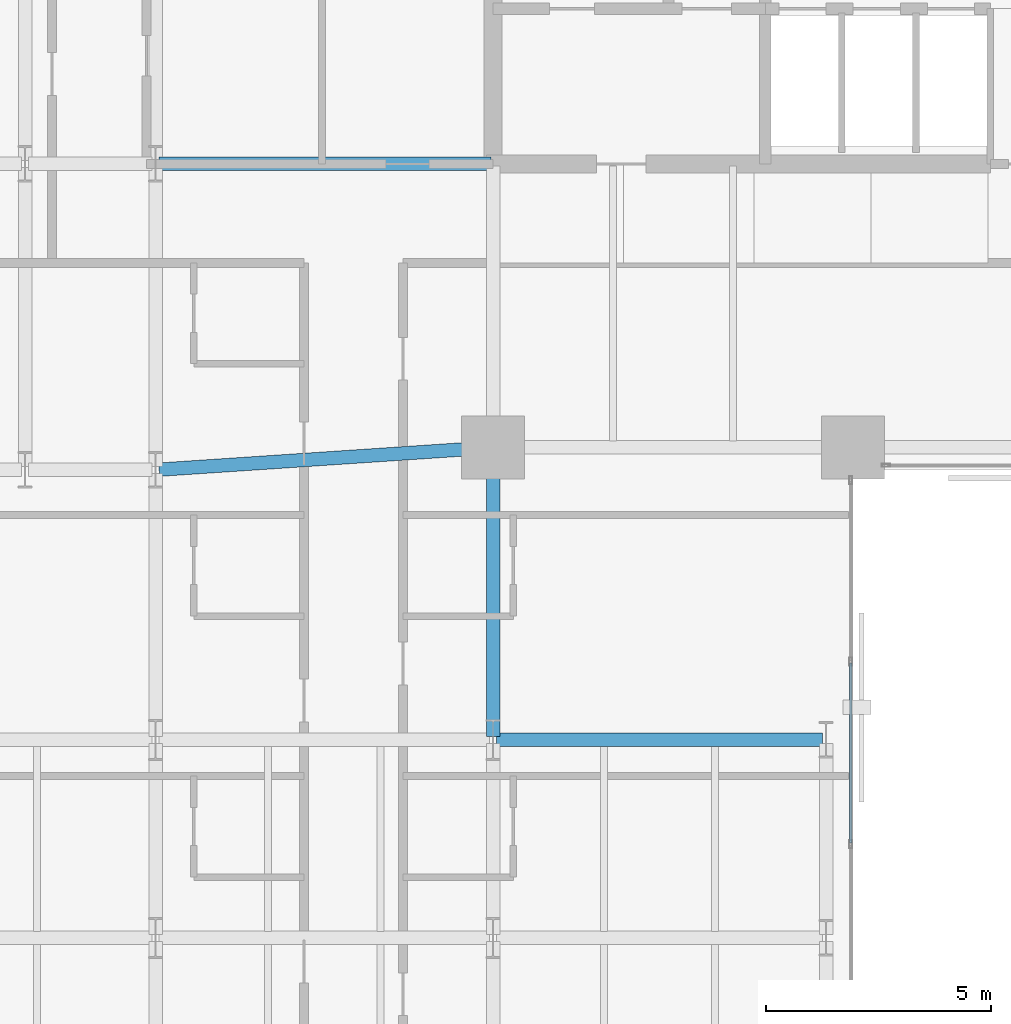
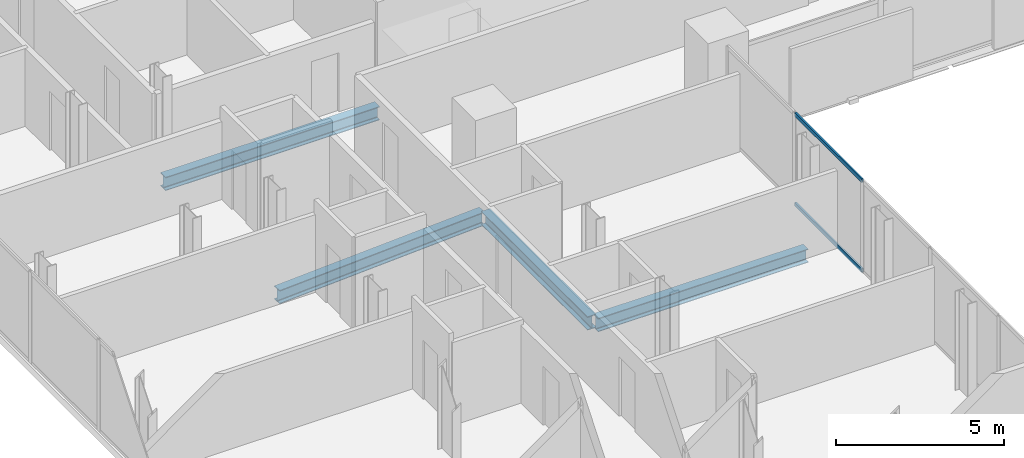
# One storey, part 12 of 33: 4 beams, 2 members, 1 element without a shape of its own.
"""IFC4 building model written with IfcOpenShell, lengths in metres."""

from ifc_helpers import new_model, si_unit, direction, frame, origin, origin_2d, place, context, subcontext, project, spatial, hollow_rectangle, i_section, extrude, material, layer, layer_set, material_profile, profile_set, type_object, element, aggregate, save


model = new_model("IFC4")

# Units and contexts
model_context = context("Model", 3, precision=1e-05, world=origin(), true_north=direction((0.0, 1.0)))
body_context = subcontext(model_context, "Body", "Model", "MODEL_VIEW")
ifc_project = project(units=[si_unit("LENGTHUNIT", "METRE"), si_unit("AREAUNIT", "SQUARE_METRE"), si_unit("VOLUMEUNIT", "CUBIC_METRE"), si_unit("PLANEANGLEUNIT", "RADIAN"), si_unit("MASSUNIT", "GRAM", prefix="KILO")], contexts=[model_context])

# Site, building, storey
site_placement = place(None, origin())
site = spatial("IfcSite", under=ifc_project, at=site_placement, CompositionType="ELEMENT")
building_placement = place(site_placement, origin())
building = spatial("IfcBuilding", under=site, at=building_placement, Name="Catumbela Crestline Tower", CompositionType="ELEMENT")
storey_placement = place(building_placement, frame((0.0, 0.0, 72.6)))
storey = spatial("IfcBuildingStorey", under=building, at=storey_placement, Name="L18", CompositionType="ELEMENT", Elevation=72.6)

# Beams
ifc_material_1 = material(Name="Structural steel S355J2", Category="steel")
ifc_material_profile_1 = material_profile(ifc_material_1, i_section(OverallWidth=0.3, OverallDepth=0.49, WebThickness=0.012, FlangeThickness=0.023, FilletRadius=0.027, at=origin_2d()), Name="HEA 500")
ifc_profile_set_1 = profile_set([ifc_material_profile_1], Name="Structural steel S355J2")
beam_type = type_object("IfcBeamType", Name="BG-HEA500", PredefinedType="BEAM", material=ifc_profile_set_1)
beam_1_placement = place(storey_placement, frame((8.5798, 24.0053, -0.505), z_axis=(0.997784796964, 0.066524423687, 0.0), x_axis=(-0.066524423687, 0.997784796964, 0.0)))
element("IfcBeam", 1, at=beam_1_placement, inside=storey, type_object=beam_type, Name="L18 Beam BM-L18-S03", PredefinedType="BEAM", context=body_context, shape_type="SweptSolid", body=[
    extrude(i_section(OverallWidth=0.3, OverallDepth=0.49, WebThickness=0.012, FlangeThickness=0.023, FilletRadius=0.027, at=origin_2d()), origin(), (0.0, 0.0, 1.0), 7.3567),
])
beam_2_placement = place(storey_placement, frame((8.58, 30.8, -0.505), z_axis=(1.0, 0.0, 0.0), x_axis=(0.0, 1.0, 0.0)))
element("IfcBeam", 2, at=beam_2_placement, inside=storey, type_object=beam_type, Name="L18 Beam BM-L18-M09", PredefinedType="BEAM", context=body_context, shape_type="SweptSolid", body=[
    extrude(i_section(OverallWidth=0.3, OverallDepth=0.49, WebThickness=0.012, FlangeThickness=0.023, FilletRadius=0.027, at=origin_2d()), origin(), (0.0, 0.0, 1.0), 7.37),
])
beam_3_placement = place(storey_placement, frame((16.08, 18.0, -0.505), z_axis=(1.0, 0.0, 0.0), x_axis=(0.0, 1.0, 0.0)))
element("IfcBeam", 3, at=beam_3_placement, inside=storey, type_object=beam_type, Name="L18 Beam BM-L18-WEW56", PredefinedType="BEAM", context=body_context, shape_type="SweptSolid", body=[
    extrude(i_section(OverallWidth=0.3, OverallDepth=0.49, WebThickness=0.012, FlangeThickness=0.023, FilletRadius=0.027, at=origin_2d()), origin(), (0.0, 0.0, 1.0), 7.24),
])
beam_4_placement = place(storey_placement, frame((16.0, 18.08, -0.505), z_axis=(0.0, 1.0, 0.0), x_axis=(-1.0, 0.0, 0.0)))
element("IfcBeam", 4, at=beam_4_placement, inside=storey, type_object=beam_type, Name="L18 Beam BM-L18-WNS67", PredefinedType="BEAM", context=body_context, shape_type="SweptSolid", body=[
    extrude(i_section(OverallWidth=0.3, OverallDepth=0.49, WebThickness=0.012, FlangeThickness=0.023, FilletRadius=0.027, at=origin_2d()), origin(), (0.0, 0.0, 1.0), 6.34),
])

# Curtain wall, members
ifc_material_2 = material(Name="Aluminium alloy AW-6060-T66", Category="aluminium")
ifc_layer = layer(ifc_material_2, 0.18, Name="Aluminium alloy AW-6060-T66")
ifc_layer_set = layer_set([ifc_layer], Name="Aluminium alloy AW-6060-T66")
curtain_wall_type = type_object("IfcCurtainWallType", Name="CWU-Z1", PredefinedType="USERDEFINED", material=ifc_layer_set)
curtain_wall_placement = place(storey_placement, origin())
curtain_wall = element("IfcCurtainWall", 5, at=curtain_wall_placement, inside=storey, type_object=curtain_wall_type, Name="L18 Unitised Curtain Wall CW-L18-E2S1", ObjectType="UNITISED", PredefinedType="USERDEFINED")
ifc_material_profile_2 = material_profile(ifc_material_2, hollow_rectangle(XDim=0.06, YDim=0.14, WallThickness=0.004, at=origin_2d()), Name="ALU 140x60x4")
ifc_profile_set_2 = profile_set([ifc_material_profile_2], Name="Aluminium alloy AW-6060-T66")
member_type = type_object("IfcMemberType", Name="TRN-140X60", PredefinedType="USERDEFINED", material=ifc_profile_set_2)
member_1_placement = place(storey_placement, frame((23.95, 15.7125, 0.03), z_axis=(0.0, 1.0, 0.0), x_axis=(-1.0, 0.0, 0.0)))
member_1 = element("IfcMember", 6, at=member_1_placement, type_object=member_type, Name="CWU-Z1 transom 4.1", ObjectType="TRANSOM", PredefinedType="USERDEFINED", context=body_context, shape_type="SweptSolid", body=[
    extrude(hollow_rectangle(XDim=0.06, YDim=0.14, WallThickness=0.004, at=origin_2d()), origin(), (0.0, 0.0, 1.0), 3.995),
])
member_2_placement = place(storey_placement, frame((23.95, 15.7125, 3.3), z_axis=(0.0, 1.0, 0.0), x_axis=(-1.0, 0.0, 0.0)))
member_2 = element("IfcMember", 7, at=member_2_placement, type_object=member_type, Name="CWU-Z1 transom 4.2", ObjectType="TRANSOM", PredefinedType="USERDEFINED", context=body_context, shape_type="SweptSolid", body=[
    extrude(hollow_rectangle(XDim=0.06, YDim=0.14, WallThickness=0.004, at=origin_2d()), origin(), (0.0, 0.0, 1.0), 3.995),
])
aggregate(curtain_wall, [member_1, member_2])

save(model, "model.ifc")
